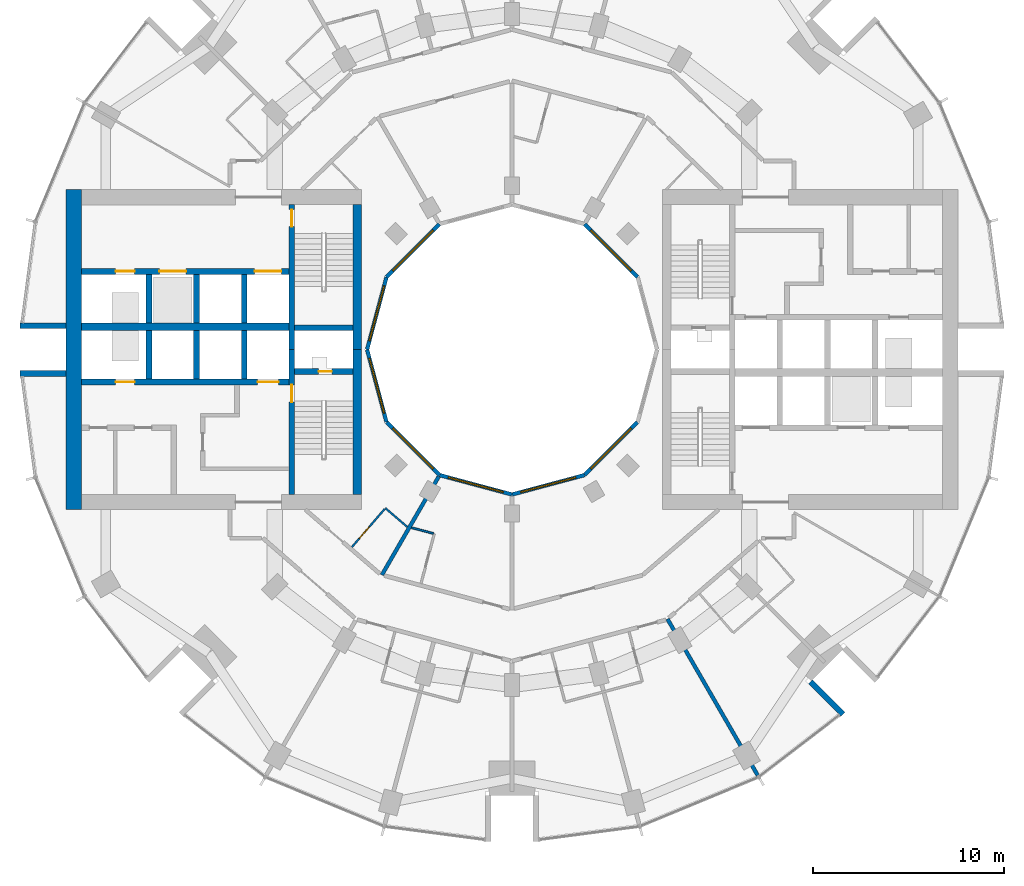
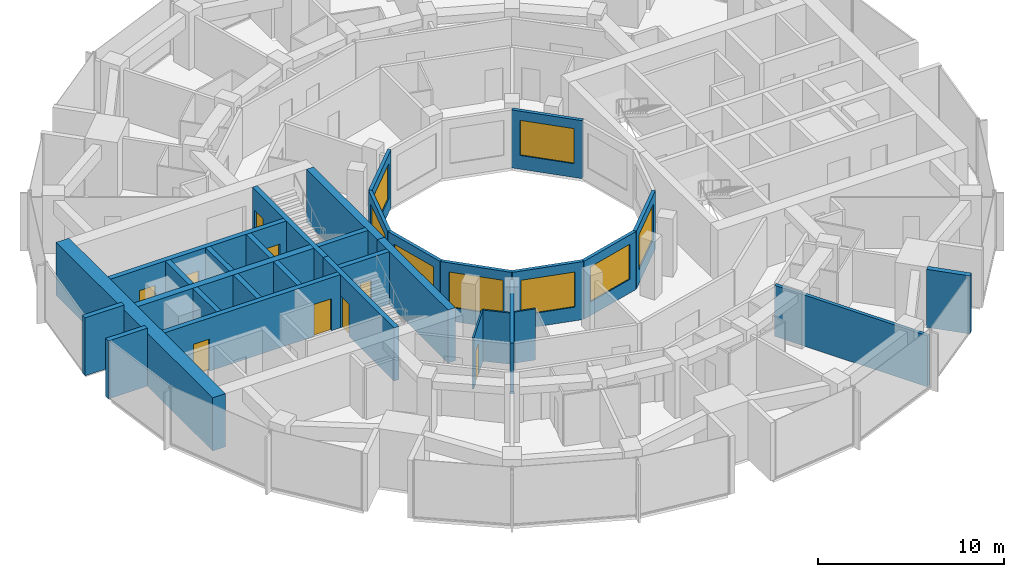
# One storey, part 9 of 15: 32 walls, 9 doors, 8 windows, 17 openings.
"""IFC4 building model written with IfcOpenShell, lengths in metres."""

import ifcopenshell
import ifcopenshell.guid

model = None  # the IFC model being written
_history = None  # IfcOwnerHistory: only IFC2X3 demands one
_inside = {}  # id of a spatial element -> (the spatial element, [elements in it])
_under = {}  # id of a project, library or spatial element -> (it, [spatial elements below it])
_declared = {}  # id of a project -> (the project, [libraries it declares])
_typed = {}  # id of a type object -> (the type object, [elements of that type])
_made_of = {}  # id of a material, layer set ... -> (it, [elements and type objects made of it])


def new_model(schema):
    """Start an empty IFC model of exactly this schema.

    Asked for "IFC4X3", IfcOpenShell would pick the latest addendum, in which some entities
    have other attributes; the version numbers below select the first issue.
    IFC2X3 requires an IfcOwnerHistory on every rooted entity: one is made here for all.
    """
    global model, _history
    if schema == "IFC4X3":
        model = ifcopenshell.file(schema_version=(4, 3, 0, 0))
    else:
        model = ifcopenshell.file(schema=schema)
    _inside.clear()
    _under.clear()
    _declared.clear()
    _typed.clear()
    _made_of.clear()
    _history = None
    if model.schema == "IFC2X3":
        org = make("IfcOrganization", Name="unknown")
        user = make(
            "IfcPersonAndOrganization",
            ThePerson=make("IfcPerson", FamilyName="unknown"),
            TheOrganization=org,
        )
        app = make(
            "IfcApplication",
            ApplicationDeveloper=org,
            Version="unknown",
            ApplicationFullName="unknown",
            ApplicationIdentifier="unknown",
        )
        _history = make(
            "IfcOwnerHistory",
            OwningUser=user,
            OwningApplication=app,
            ChangeAction="ADDED",
            CreationDate=0,
        )
    return model


def make(cls, **values):
    """One entity of the class cls with the attributes given. An attribute that is None is left unset."""
    return model.create_entity(
        cls, **{name: value for name, value in values.items() if value is not None}
    )


def rooted(cls, **values):
    """An entity with a GlobalId (a new one), such as an element, a storey or a relation."""
    return make(cls, GlobalId=ifcopenshell.guid.new(), OwnerHistory=_history, **values)


def si_unit(unit_type, name, prefix=None):
    """IfcSIUnit, for example si_unit("LENGTHUNIT", "METRE", prefix="MILLI")."""
    return make("IfcSIUnit", UnitType=unit_type, Prefix=prefix, Name=name)


def assignment(units):
    """IfcUnitAssignment: the units of a project."""
    return None if units is None else make("IfcUnitAssignment", Units=units)


def point(xyz):
    """IfcCartesianPoint."""
    return None if xyz is None else make("IfcCartesianPoint", Coordinates=xyz)


def direction(xyz):
    """IfcDirection."""
    return None if xyz is None else make("IfcDirection", DirectionRatios=xyz)


def frame(location, z_axis=None, x_axis=None):
    """IfcAxis2Placement3D, a coordinate frame: its origin and axes. An axis left out is left unset."""
    return make(
        "IfcAxis2Placement3D",
        Location=point(location),
        Axis=direction(z_axis),
        RefDirection=direction(x_axis),
    )


def frame_2d(location, x_axis=None):
    """IfcAxis2Placement2D, a coordinate frame in the plane: its origin and x axis."""
    return make(
        "IfcAxis2Placement2D", Location=point(location), RefDirection=direction(x_axis)
    )


def origin():
    """The frame at (0, 0, 0) with its axes left unset."""
    return frame((0.0, 0.0, 0.0))


def place(relative_to, where):
    """IfcLocalPlacement: puts the frame where relative to a parent placement (None: the world)."""
    return make(
        "IfcLocalPlacement", PlacementRelTo=relative_to, RelativePlacement=where
    )


def context(
    kind, dimensions, precision=None, world=None, true_north=None, identifier=None
):
    """IfcGeometricRepresentationContext, for example the 3D "Model" context."""
    return make(
        "IfcGeometricRepresentationContext",
        ContextIdentifier=identifier,
        ContextType=kind,
        CoordinateSpaceDimension=dimensions,
        Precision=precision,
        WorldCoordinateSystem=world,
        TrueNorth=true_north,
    )


def subcontext(parent, identifier, kind, view, scale=None):
    """IfcGeometricRepresentationSubContext, for example "Body" below "Model"."""
    return make(
        "IfcGeometricRepresentationSubContext",
        ContextIdentifier=identifier,
        ContextType=kind,
        ParentContext=parent,
        TargetScale=scale,
        TargetView=view,
    )


def project(units=None, contexts=None):
    """IfcProject with its units and contexts."""
    return rooted(
        "IfcProject",
        Name="project",
        RepresentationContexts=contexts,
        UnitsInContext=assignment(units),
    )


def spatial(cls, under=None, at=None, **own):
    """A site, building, storey or space (cls), placed at a placement, below another one or the project."""
    s = rooted(cls, ObjectPlacement=at, **own)
    if under is not None:
        _under.setdefault(under.id(), (under, []))[1].append(s)
    return s


def profile(cls, at=None, kind="AREA", **sizes):
    """A parametric profile (cls). Its sizes go by their IFC names, for example OverallWidth=200.0."""
    return make(cls, ProfileType=kind, Position=at, **sizes)


def rectangle(**sizes):
    """IfcRectangleProfileDef."""
    return profile("IfcRectangleProfileDef", **sizes)


def extrude(swept, where, along, depth):
    """IfcExtrudedAreaSolid: the profile swept, set in the frame where, extruded along a direction by depth."""
    return make(
        "IfcExtrudedAreaSolid",
        SweptArea=swept,
        Position=where,
        ExtrudedDirection=direction(along),
        Depth=depth,
    )


def shape(context_of_items, identifier, shape_type, items):
    """IfcShapeRepresentation: the items that make up one representation, for example the "Body"."""
    return make(
        "IfcShapeRepresentation",
        ContextOfItems=context_of_items,
        RepresentationIdentifier=identifier,
        RepresentationType=shape_type,
        Items=items,
    )


def material(Name=None, Category=None):
    """IfcMaterial."""
    return make("IfcMaterial", Name=Name, Category=Category)


def layer(
    of_material, thickness, ventilated=None, Name=None, Category=None, Priority=None
):
    """IfcMaterialLayer: one layer of a wall or slab, of a material (None: an air gap)."""
    return make(
        "IfcMaterialLayer",
        Material=of_material,
        LayerThickness=thickness,
        IsVentilated=ventilated,
        Name=Name,
        Category=Category,
        Priority=Priority,
    )


def layer_set(layers, Name=None):
    """IfcMaterialLayerSet."""
    return make("IfcMaterialLayerSet", MaterialLayers=layers, LayerSetName=Name)


def made_of(thing, what):
    """Note that an element or type object is made of a material, layer set ...; save() writes the relation."""
    if what is not None:
        _made_of.setdefault(what.id(), (what, []))[1].append(thing)
    return thing


def type_object(cls, material=None, **own):
    """A type object (cls), such as IfcWallType, which elements share."""
    return made_of(rooted(cls, **own), material)


def element(
    cls,
    number,
    at=None,
    inside=None,
    cuts=None,
    type_object=None,
    material=None,
    context=None,
    identifier="Body",
    shape_type=None,
    held_by="IfcProductDefinitionShape",
    body=None,
    shapes=None,
    **own,
):
    """One element of the class cls, such as IfcWall. Its Tag is "e" and its number.

    at: its placement. inside: the storey or other place that contains it. cuts: it is an
    opening in that element (IfcRelVoidsElement). A single representation is given by context,
    identifier, shape_type and body (its items); several are given by shapes. held_by: the class
    of the entity that holds the representations. save() writes the other relations.
    """
    e = rooted(cls, Tag="e%d" % number, ObjectPlacement=at, **own)
    if body is not None:
        shapes = [shape(context, identifier, shape_type, body)]
    if shapes is not None:
        e.Representation = make(held_by, Representations=shapes)
    if inside is not None:
        _inside.setdefault(inside.id(), (inside, []))[1].append(e)
    if cuts is not None:
        rooted(
            "IfcRelVoidsElement", RelatingBuildingElement=cuts, RelatedOpeningElement=e
        )
    if type_object is not None:
        _typed.setdefault(type_object.id(), (type_object, []))[1].append(e)
    return made_of(e, material)


def fill(opening, filler):
    """IfcRelFillsElement: the door or window that sits in an opening."""
    return rooted(
        "IfcRelFillsElement",
        RelatingOpeningElement=opening,
        RelatedBuildingElement=filler,
    )


def aggregate(whole, parts):
    """IfcRelAggregates: a whole, such as a stair, and the parts it consists of."""
    return rooted("IfcRelAggregates", RelatingObject=whole, RelatedObjects=parts)


def save(model, path):
    """Write the relations noted so far, then the file.

    IfcRelAggregates (storeys below a building ...), IfcRelContainedInSpatialStructure (elements
    in a storey), IfcRelDefinesByType, IfcRelAssociatesMaterial and IfcRelDeclares: one each for
    every whole, place, type object, material and project.
    """
    for whole, parts in _under.values():
        aggregate(whole, parts)
    for where, things in _inside.values():
        rooted(
            "IfcRelContainedInSpatialStructure",
            RelatedElements=things,
            RelatingStructure=where,
        )
    for kind, things in _typed.values():
        rooted("IfcRelDefinesByType", RelatedObjects=things, RelatingType=kind)
    for what, things in _made_of.values():
        rooted("IfcRelAssociatesMaterial", RelatedObjects=things, RelatingMaterial=what)
    for by, libraries in _declared.values():
        rooted("IfcRelDeclares", RelatingContext=by, RelatedDefinitions=libraries)
    model.write(path)


model = new_model("IFC4")

# Units and contexts
model_context = context("Model", 3, precision=1e-05, world=origin(), true_north=direction((0.0, 1.0)))
body_context = subcontext(model_context, "Body", "Model", "MODEL_VIEW")
ifc_project = project(units=[si_unit("LENGTHUNIT", "METRE"), si_unit("AREAUNIT", "SQUARE_METRE"), si_unit("VOLUMEUNIT", "CUBIC_METRE"), si_unit("PLANEANGLEUNIT", "RADIAN"), si_unit("MASSUNIT", "GRAM", prefix="KILO")], contexts=[model_context])

# Site, building, storey
site_placement = place(None, origin())
site = spatial("IfcSite", under=ifc_project, at=site_placement, CompositionType="ELEMENT")
building_placement = place(site_placement, origin())
building = spatial("IfcBuilding", under=site, at=building_placement, Name="Torre Brocal", CompositionType="ELEMENT")
storey_placement = place(building_placement, frame((0.0, 0.0, 66.800048828125)))
storey = spatial("IfcBuildingStorey", under=building, at=storey_placement, Name="L15", CompositionType="ELEMENT", Elevation=66.800048828125)

# Wall, opening, door
ifc_material_1 = material(Name="Concrete C80", Category="concrete")
ifc_layer_1 = layer(ifc_material_1, 0.300048828125)
ifc_layer_set_1 = layer_set([ifc_layer_1], Name="Concrete C80")
wall_type_1 = type_object("IfcWallType", Name="CORE WALL 300 C80", PredefinedType="SHEAR", material=ifc_layer_set_1)
wall_1_placement = place(storey_placement, frame((68.449951171875, 75.0, 0.0), z_axis=(0.0, 0.0, 1.0), x_axis=(0.0, -1.0, 0.0)))
wall_1 = element("IfcWall", 1, at=wall_1_placement, inside=storey, type_object=wall_type_1, Name="Wall CW300-80", PredefinedType="SHEAR", context=body_context, shape_type="SweptSolid", body=[
    extrude(rectangle(XDim=7.60009765625, YDim=0.300048828125, at=frame_2d((3.800048828125, 0.0))), origin(), (0.0, 0.0, 1.0), 3.47998046875),
])
opening_1_placement = place(wall_1_placement, frame((1.85009765625, 0.0, 0.0)))
opening_1 = element("IfcOpeningElement", 2, at=opening_1_placement, cuts=wall_1, Name="Opening W-D02", PredefinedType="OPENING", context=body_context, shape_type="SweptSolid", body=[
    extrude(rectangle(XDim=0.89990234375, YDim=2.10009765625, at=frame_2d((0.449951171875, 1.050048828125))), frame((0.0, 0.159912109375, 0.0), z_axis=(0.0, -1.0, 0.0), x_axis=(1.0, 0.0, 0.0)), (0.0, 0.0, 1.0), 0.320068359375),
])
ifc_material_2 = material(Name="Steel A653", Category="steel")
door_type_1 = type_object("IfcDoorType", Name="STAIR DOOR FD120 900X2100", OperationType="SINGLE_SWING_RIGHT", PredefinedType="DOOR", material=ifc_material_2)
door_1_placement = place(opening_1_placement, origin())
door_1 = element("IfcDoor", 3, at=door_1_placement, inside=storey, type_object=door_type_1, Name="Door W-D02", OperationType="SINGLE_SWING_LEFT", OverallHeight=2.10009765625, OverallWidth=0.89990234375, PredefinedType="DOOR", context=body_context, shape_type="SweptSolid", body=[
    extrude(rectangle(XDim=0.89990234375, YDim=2.10009765625, at=frame_2d((0.449951171875, 1.050048828125))), frame((0.0, 0.02490234375, 0.0), z_axis=(0.0, -1.0, 0.0), x_axis=(1.0, 0.0, 0.0)), (0.0, 0.0, 1.0), 0.050048828125),
])
fill(opening_1, door_1)

wall_2_placement = place(storey_placement, frame((68.449951171875, 82.60009765625, 0.0), z_axis=(0.0, 0.0, 1.0), x_axis=(0.0, -1.0, 0.0)))
wall_2 = element("IfcWall", 4, at=wall_2_placement, inside=storey, type_object=wall_type_1, Name="Wall CW300-80", PredefinedType="SHEAR", context=body_context, shape_type="SweptSolid", body=[
    extrude(rectangle(XDim=7.60009765625, YDim=0.300048828125, at=frame_2d((3.800048828125, 0.0))), origin(), (0.0, 0.0, 1.0), 3.47998046875),
])
opening_2_placement = place(wall_2_placement, frame((0.25, 0.0, 0.0)))
opening_2 = element("IfcOpeningElement", 5, at=opening_2_placement, cuts=wall_2, Name="Opening W-D03", PredefinedType="OPENING", context=body_context, shape_type="SweptSolid", body=[
    extrude(rectangle(XDim=0.89990234375, YDim=2.10009765625, at=frame_2d((0.449951171875, 1.050048828125))), frame((0.0, 0.159912109375, 0.0), z_axis=(0.0, -1.0, 0.0), x_axis=(1.0, 0.0, 0.0)), (0.0, 0.0, 1.0), 0.320068359375),
])
door_2_placement = place(opening_2_placement, origin())
door_2 = element("IfcDoor", 6, at=door_2_placement, inside=storey, type_object=door_type_1, Name="Door W-D03", OperationType="SINGLE_SWING_LEFT", OverallHeight=2.10009765625, OverallWidth=0.89990234375, PredefinedType="DOOR", context=body_context, shape_type="SweptSolid", body=[
    extrude(rectangle(XDim=0.89990234375, YDim=2.10009765625, at=frame_2d((0.449951171875, 1.050048828125))), frame((0.0, 0.02490234375, 0.0), z_axis=(0.0, -1.0, 0.0), x_axis=(1.0, 0.0, 0.0)), (0.0, 0.0, 1.0), 0.050048828125),
])
fill(opening_2, door_2)

wall_3_placement = place(storey_placement, frame((71.64990234375, 73.85009765625, 0.0), z_axis=(0.0, 0.0, 1.0), x_axis=(-1.0, 0.0, 0.0)))
wall_3 = element("IfcWall", 7, at=wall_3_placement, inside=storey, type_object=wall_type_1, Name="Wall CW300-80", PredefinedType="SHEAR", context=body_context, shape_type="SweptSolid", body=[
    extrude(rectangle(XDim=3.0498046875, YDim=0.300048828125, at=frame_2d((1.52490234375, 0.0))), origin(), (0.0, 0.0, 1.0), 3.47998046875),
])
opening_3_placement = place(wall_3_placement, frame((1.10009765625, 0.0, 0.0)))
opening_3 = element("IfcOpeningElement", 8, at=opening_3_placement, cuts=wall_3, Name="Opening W-D01", PredefinedType="OPENING", context=body_context, shape_type="SweptSolid", body=[
    extrude(rectangle(XDim=0.699951171875, YDim=2.0, at=frame_2d((0.35009765625, 1.0))), frame((0.0, 0.159912109375, 0.0), z_axis=(0.0, -1.0, 0.0), x_axis=(1.0, 0.0, 0.0)), (0.0, 0.0, 1.0), 0.320068359375),
])
ifc_material_3 = material(Name="Steel A653", Category="steel")
door_type_2 = type_object("IfcDoorType", Name="RISER DOOR FD120 700X2000", OperationType="SINGLE_SWING_LEFT", PredefinedType="DOOR", material=ifc_material_3)
door_3_placement = place(opening_3_placement, frame((0.699951171875, 0.0, 0.0), z_axis=(0.0, 0.0, 1.0), x_axis=(-1.0, 0.0, 0.0)))
door_3 = element("IfcDoor", 9, at=door_3_placement, inside=storey, type_object=door_type_2, Name="Door W-D01", OperationType="SINGLE_SWING_RIGHT", OverallHeight=2.0, OverallWidth=0.699951171875, PredefinedType="DOOR", context=body_context, shape_type="SweptSolid", body=[
    extrude(rectangle(XDim=0.699951171875, YDim=2.0, at=frame_2d((0.35009765625, 1.0))), frame((0.0, 0.02490234375, 0.0), z_axis=(0.0, -1.0, 0.0), x_axis=(1.0, 0.0, 0.0)), (0.0, 0.0, 1.0), 0.050048828125),
])
fill(opening_3, door_3)

# Wall
wall_4_placement = place(storey_placement, frame((71.64990234375, 76.14990234375, 0.0), z_axis=(0.0, 0.0, 1.0), x_axis=(-1.0, 0.0, 0.0)))
element("IfcWall", 10, at=wall_4_placement, inside=storey, type_object=wall_type_1, Name="Wall CW300-80", PredefinedType="SHEAR", context=body_context, shape_type="SweptSolid", body=[
    extrude(rectangle(XDim=3.0498046875, YDim=0.300048828125, at=frame_2d((1.52490234375, 0.0))), origin(), (0.0, 0.0, 1.0), 3.47998046875),
])

# Wall, openings, doors
wall_5_placement = place(storey_placement, frame((68.300048828125, 73.300048828125, 0.0), z_axis=(0.0, 0.0, 1.0), x_axis=(-1.0, 0.0, 0.0)))
wall_5 = element("IfcWall", 11, at=wall_5_placement, inside=storey, type_object=wall_type_1, Name="Wall CW300-80", PredefinedType="SHEAR", context=body_context, shape_type="SweptSolid", body=[
    extrude(rectangle(XDim=10.900146484375, YDim=0.300048828125, at=frame_2d((5.4501953125, 0.0))), origin(), (0.0, 0.0, 1.0), 3.47998046875),
])
opening_4_placement = place(wall_5_placement, frame((0.550048828125, 0.0, 0.0)))
opening_4 = element("IfcOpeningElement", 12, at=opening_4_placement, cuts=wall_5, Name="Opening LD", PredefinedType="OPENING", context=body_context, shape_type="SweptSolid", body=[
    extrude(rectangle(XDim=1.10009765625, YDim=2.10009765625, at=frame_2d((0.550048828125, 1.050048828125))), frame((0.0, 0.159912109375, 0.0), z_axis=(0.0, -1.0, 0.0), x_axis=(1.0, 0.0, 0.0)), (0.0, 0.0, 1.0), 0.320068359375),
])
opening_5_placement = place(wall_5_placement, frame((8.10009765625, 0.0, 0.0)))
opening_5 = element("IfcOpeningElement", 13, at=opening_5_placement, cuts=wall_5, Name="Opening LD10", PredefinedType="OPENING", context=body_context, shape_type="SweptSolid", body=[
    extrude(rectangle(XDim=1.0, YDim=2.10009765625, at=frame_2d((0.5, 1.050048828125))), frame((0.0, 0.159912109375, 0.0), z_axis=(0.0, -1.0, 0.0), x_axis=(1.0, 0.0, 0.0)), (0.0, 0.0, 1.0), 0.320068359375),
])
ifc_material_4 = material(Name="Stainless steel AISI 316", Category="steel")
door_type_3 = type_object("IfcDoorType", Name="LIFT LANDING DOOR 1000X2100", OperationType="DOUBLE_DOOR_SLIDING", PredefinedType="DOOR", material=ifc_material_4)
door_4_placement = place(opening_5_placement, origin())
door_4 = element("IfcDoor", 14, at=door_4_placement, inside=storey, type_object=door_type_3, Name="Door LD10", OperationType="DOUBLE_DOOR_SLIDING", OverallHeight=2.10009765625, OverallWidth=1.0, PredefinedType="DOOR", context=body_context, shape_type="SweptSolid", body=[
    extrude(rectangle(XDim=1.0, YDim=2.10009765625, at=frame_2d((0.5, 1.050048828125))), frame((0.0, 0.02490234375, 0.0), z_axis=(0.0, -1.0, 0.0), x_axis=(1.0, 0.0, 0.0)), (0.0, 0.0, 1.0), 0.050048828125),
])
fill(opening_5, door_4)
ifc_material_5 = material(Name="Stainless steel AISI 316", Category="steel")
door_type_4 = type_object("IfcDoorType", Name="LIFT LANDING DOOR 1100X2100", OperationType="DOUBLE_DOOR_SLIDING", PredefinedType="DOOR", material=ifc_material_5)
door_5_placement = place(opening_4_placement, origin())
door_5 = element("IfcDoor", 15, at=door_5_placement, inside=storey, type_object=door_type_4, Name="Door LD", OperationType="DOUBLE_DOOR_SLIDING", OverallHeight=2.10009765625, OverallWidth=1.10009765625, PredefinedType="DOOR", context=body_context, shape_type="SweptSolid", body=[
    extrude(rectangle(XDim=1.10009765625, YDim=2.10009765625, at=frame_2d((0.550048828125, 1.050048828125))), frame((0.0, 0.02490234375, 0.0), z_axis=(0.0, -1.0, 0.0), x_axis=(1.0, 0.0, 0.0)), (0.0, 0.0, 1.0), 0.050048828125),
])
fill(opening_4, door_5)

wall_6_placement = place(storey_placement, frame((68.300048828125, 79.10009765625, 0.0), z_axis=(0.0, 0.0, 1.0), x_axis=(-1.0, 0.0, 0.0)))
wall_6 = element("IfcWall", 16, at=wall_6_placement, inside=storey, type_object=wall_type_1, Name="Wall CW300-80", PredefinedType="SHEAR", context=body_context, shape_type="SweptSolid", body=[
    extrude(rectangle(XDim=10.900146484375, YDim=0.300048828125, at=frame_2d((5.4501953125, 0.0))), origin(), (0.0, 0.0, 1.0), 3.47998046875),
])
opening_6_placement = place(wall_6_placement, frame((0.39990234375, 0.0, 0.0)))
opening_6 = element("IfcOpeningElement", 17, at=opening_6_placement, cuts=wall_6, Name="Opening LD14", PredefinedType="OPENING", context=body_context, shape_type="SweptSolid", body=[
    extrude(rectangle(XDim=1.39990234375, YDim=2.10009765625, at=frame_2d((0.699951171875, 1.050048828125))), frame((0.0, 0.159912109375, 0.0), z_axis=(0.0, -1.0, 0.0), x_axis=(1.0, 0.0, 0.0)), (0.0, 0.0, 1.0), 0.320068359375),
])
opening_7_placement = place(wall_6_placement, frame((5.39990234375, 0.0, 0.0)))
opening_7 = element("IfcOpeningElement", 18, at=opening_7_placement, cuts=wall_6, Name="Opening LD14", PredefinedType="OPENING", context=body_context, shape_type="SweptSolid", body=[
    extrude(rectangle(XDim=1.39990234375, YDim=2.10009765625, at=frame_2d((0.699951171875, 1.050048828125))), frame((0.0, 0.159912109375, 0.0), z_axis=(0.0, -1.0, 0.0), x_axis=(1.0, 0.0, 0.0)), (0.0, 0.0, 1.0), 0.320068359375),
])
opening_8_placement = place(wall_6_placement, frame((8.10009765625, 0.0, 0.0)))
opening_8 = element("IfcOpeningElement", 19, at=opening_8_placement, cuts=wall_6, Name="Opening LD10", PredefinedType="OPENING", context=body_context, shape_type="SweptSolid", body=[
    extrude(rectangle(XDim=1.0, YDim=2.10009765625, at=frame_2d((0.5, 1.050048828125))), frame((0.0, 0.159912109375, 0.0), z_axis=(0.0, -1.0, 0.0), x_axis=(1.0, 0.0, 0.0)), (0.0, 0.0, 1.0), 0.320068359375),
])
door_6_placement = place(opening_8_placement, origin())
door_6 = element("IfcDoor", 20, at=door_6_placement, inside=storey, type_object=door_type_3, Name="Door LD10", OperationType="DOUBLE_DOOR_SLIDING", OverallHeight=2.10009765625, OverallWidth=1.0, PredefinedType="DOOR", context=body_context, shape_type="SweptSolid", body=[
    extrude(rectangle(XDim=1.0, YDim=2.10009765625, at=frame_2d((0.5, 1.050048828125))), frame((0.0, 0.02490234375, 0.0), z_axis=(0.0, -1.0, 0.0), x_axis=(1.0, 0.0, 0.0)), (0.0, 0.0, 1.0), 0.050048828125),
])
fill(opening_8, door_6)
ifc_material_6 = material(Name="Stainless steel AISI 316", Category="steel")
door_type_5 = type_object("IfcDoorType", Name="LIFT LANDING DOOR 1400X2100", OperationType="DOUBLE_DOOR_SLIDING", PredefinedType="DOOR", material=ifc_material_6)
door_7_placement = place(opening_6_placement, origin())
door_7 = element("IfcDoor", 21, at=door_7_placement, inside=storey, type_object=door_type_5, Name="Door LD14", OperationType="DOUBLE_DOOR_SLIDING", OverallHeight=2.10009765625, OverallWidth=1.39990234375, PredefinedType="DOOR", context=body_context, shape_type="SweptSolid", body=[
    extrude(rectangle(XDim=1.39990234375, YDim=2.10009765625, at=frame_2d((0.699951171875, 1.050048828125))), frame((0.0, 0.02490234375, 0.0), z_axis=(0.0, -1.0, 0.0), x_axis=(1.0, 0.0, 0.0)), (0.0, 0.0, 1.0), 0.050048828125),
])
fill(opening_6, door_7)
door_8_placement = place(opening_7_placement, origin())
door_8 = element("IfcDoor", 22, at=door_8_placement, inside=storey, type_object=door_type_5, Name="Door LD14", OperationType="DOUBLE_DOOR_SLIDING", OverallHeight=2.10009765625, OverallWidth=1.39990234375, PredefinedType="DOOR", context=body_context, shape_type="SweptSolid", body=[
    extrude(rectangle(XDim=1.39990234375, YDim=2.10009765625, at=frame_2d((0.699951171875, 1.050048828125))), frame((0.0, 0.02490234375, 0.0), z_axis=(0.0, -1.0, 0.0), x_axis=(1.0, 0.0, 0.0)), (0.0, 0.0, 1.0), 0.050048828125),
])
fill(opening_7, door_8)

# Walls
for number, where, z_axis, x_axis, name in (
    (23, (65.949951171875, 76.0, 0.0), (0.0, 0.0, 1.0), (0.0, -1.0, 0.0), "Wall CW300-80"),
    (24, (63.449951171875, 76.0, 0.0), (0.0, 0.0, 1.0), (0.0, -1.0, 0.0), "Wall CW300-80"),
    (25, (60.949951171875, 76.0, 0.0), (0.0, 0.0, 1.0), (0.0, -1.0, 0.0), "Wall CW300-80"),
    (26, (65.949951171875, 78.949951171875, 0.0), (0.0, 0.0, 1.0), (0.0, -1.0, 0.0), "Wall CW300-80"),
    (27, (63.449951171875, 78.949951171875, 0.0), (0.0, 0.0, 1.0), (0.0, -1.0, 0.0), "Wall CW300-80"),
    (28, (60.949951171875, 78.949951171875, 0.0), (0.0, 0.0, 1.0), (0.0, -1.0, 0.0), "Wall CW300-80"),
):
    element("IfcWall", number, at=place(storey_placement, frame(where, z_axis=z_axis, x_axis=x_axis)), inside=storey, type_object=wall_type_1, Name=name, PredefinedType="SHEAR", context=body_context, shape_type="SweptSolid", body=[
        extrude(rectangle(XDim=2.550048828125, YDim=0.300048828125, at=frame_2d((1.27490234375, 0.0))), origin(), (0.0, 0.0, 1.0), 3.47998046875),
    ])
ifc_material_7 = material(Name="Concrete C80", Category="concrete")
ifc_layer_2 = layer(ifc_material_7, 0.39990234375)
ifc_layer_set_2 = layer_set([ifc_layer_2], Name="Concrete C80")
wall_type_2 = type_object("IfcWallType", Name="CORE WALL 400 C80", PredefinedType="SHEAR", material=ifc_layer_set_2)
wall_7_placement = place(storey_placement, frame((68.300048828125, 76.199951171875, 0.0), z_axis=(0.0, 0.0, 1.0), x_axis=(-1.0, 0.0, 0.0)))
element("IfcWall", 29, at=wall_7_placement, inside=storey, type_object=wall_type_2, Name="Wall CW400-80", PredefinedType="SHEAR", context=body_context, shape_type="SweptSolid", body=[
    extrude(rectangle(XDim=10.900146484375, YDim=0.39990234375, at=frame_2d((5.4501953125, 0.0))), origin(), (0.0, 0.0, 1.0), 3.47998046875),
])
ifc_material_8 = material(Name="Concrete C80", Category="concrete")
ifc_layer_3 = layer(ifc_material_8, 0.449951171875)
ifc_layer_set_3 = layer_set([ifc_layer_3], Name="Concrete C80")
wall_type_3 = type_object("IfcWallType", Name="CORE WALL 450 C80", PredefinedType="SHEAR", material=ifc_layer_set_3)
for number, where, z_axis, x_axis, name in (
    (30, (71.875, 75.0, 0.0), (0.0, 0.0, 1.0), (0.0, -1.0, 0.0), "Wall CW450-80"),
    (31, (71.875, 82.60009765625, 0.0), (0.0, 0.0, 1.0), (0.0, -1.0, 0.0), "Wall CW450-80"),
):
    element("IfcWall", number, at=place(storey_placement, frame(where, z_axis=z_axis, x_axis=x_axis)), inside=storey, type_object=wall_type_3, Name=name, PredefinedType="SHEAR", context=body_context, shape_type="SweptSolid", body=[
        extrude(rectangle(XDim=7.60009765625, YDim=0.449951171875, at=frame_2d((3.800048828125, 0.0))), origin(), (0.0, 0.0, 1.0), 3.47998046875),
    ])
ifc_material_9 = material(Name="Concrete C80", Category="concrete")
ifc_layer_4 = layer(ifc_material_9, 0.800048828125)
ifc_layer_set_4 = layer_set([ifc_layer_4], Name="Concrete C80")
wall_type_4 = type_object("IfcWallType", Name="CORE WALL 800 C80", PredefinedType="SHEAR", material=ifc_layer_set_4)
wall_8_placement = place(storey_placement, frame((57.0, 83.39990234375, 0.0), z_axis=(0.0, 0.0, 1.0), x_axis=(0.0, -1.0, 0.0)))
element("IfcWall", 32, at=wall_8_placement, inside=storey, type_object=wall_type_4, Name="Wall CW800-80", PredefinedType="SHEAR", context=body_context, shape_type="SweptSolid", body=[
    extrude(rectangle(XDim=16.7998046875, YDim=0.800048828125, at=frame_2d((8.39990234375, 0.0))), origin(), (0.0, 0.0, 1.0), 3.47998046875),
])
ifc_material_10 = material(Name="Concrete C80", Category="concrete")
ifc_layer_5 = layer(ifc_material_10, 0.300048828125)
ifc_layer_set_5 = layer_set([ifc_layer_5], Name="Concrete C80")
wall_type_5 = type_object("IfcWallType", Name="NOTCH RETURN WALL 300 C80", PredefinedType="NOTDEFINED", material=ifc_layer_set_5)
for number, where, z_axis, x_axis, name in (
    (33, (56.60009765625, 76.25, 0.0), (0.0, 0.0, 1.0), (-1.0, 0.0, 0.0), "NOTCH RETURN WALL"),
    (34, (56.60009765625, 73.75, 0.0), (0.0, 0.0, 1.0), (-1.0, 0.0, 0.0), "NOTCH RETURN WALL"),
    (35, (95.662353515625, 57.56982421875, 0.0), (0.0, 0.0, 1.0), (0.707106781187, -0.707106781187, 0.0), "NOTCH RETURN WALL"),
):
    element("IfcWall", number, at=place(storey_placement, frame(where, z_axis=z_axis, x_axis=x_axis)), inside=storey, type_object=wall_type_5, Name=name, PredefinedType="NOTDEFINED", context=body_context, shape_type="SweptSolid", body=[
        extrude(rectangle(XDim=2.415771484375, YDim=0.300048828125, at=frame_2d((1.2080078125, 0.0))), origin(), (0.0, 0.0, 1.0), 3.800048828125),
    ])

# Wall, opening, door
ifc_material_11 = material(Name="Gypsum board", Category="Gypsum")
ifc_layer_6 = layer(ifc_material_11, 0.10009765625)
ifc_layer_set_6 = layer_set([ifc_layer_6], Name="Gypsum board")
wall_type_6 = type_object("IfcWallType", Name="PARTITION 100", PredefinedType="PARTITIONING", material=ifc_layer_set_6)
wall_9_placement = place(storey_placement, frame((71.59619140625, 64.634765625, 0.0), z_axis=(0.0, 0.0, 1.0), x_axis=(0.652285007511, 0.757973791748, 0.0)))
wall_9 = element("IfcWall", 36, at=wall_9_placement, inside=storey, type_object=wall_type_6, Name="BATHROOM WALL", PredefinedType="PARTITIONING", context=body_context, shape_type="SweptSolid", body=[
    extrude(rectangle(XDim=2.649658203125, YDim=0.10009765625, at=frame_2d((1.32470703125, 0.0))), origin(), (0.0, 0.0, 1.0), 3.349853515625),
])
opening_9_placement = place(wall_9_placement, frame((0.599609375, 0.0, 0.0)))
opening_9 = element("IfcOpeningElement", 37, at=opening_9_placement, cuts=wall_9, Name="Opening H04-D38", PredefinedType="OPENING", context=body_context, shape_type="SweptSolid", body=[
    extrude(rectangle(XDim=0.800048828125, YDim=2.10009765625, at=frame_2d((0.39990234375, 1.050048828125))), frame((0.0, 0.06005859375, 0.0), z_axis=(0.0, -1.0, 0.0), x_axis=(1.0, 0.0, 0.0)), (0.0, 0.0, 1.0), 0.1201171875),
])
ifc_material_12 = material(Name="Timber", Category="wood")
door_type_6 = type_object("IfcDoorType", Name="BATHROOM DOOR 800X2100", OperationType="SINGLE_SWING_LEFT", PredefinedType="DOOR", material=ifc_material_12)
door_9_placement = place(opening_9_placement, frame((0.800048828125, 0.0, 0.0), z_axis=(0.0, 0.0, 1.0), x_axis=(-1.0, 0.0, 0.0)))
door_9 = element("IfcDoor", 38, at=door_9_placement, inside=storey, type_object=door_type_6, Name="H04-D38", OperationType="SINGLE_SWING_RIGHT", OverallHeight=2.10009765625, OverallWidth=0.800048828125, PredefinedType="DOOR", context=body_context, shape_type="SweptSolid", body=[
    extrude(rectangle(XDim=0.800048828125, YDim=2.10009765625, at=frame_2d((0.39990234375, 1.050048828125))), frame((0.0, 0.02490234375, 0.0), z_axis=(0.0, -1.0, 0.0), x_axis=(1.0, 0.0, 0.0)), (0.0, 0.0, 1.0), 0.050048828125),
])
fill(opening_9, door_9)

# Walls
wall_10_placement = place(storey_placement, frame((73.35693359375, 66.680908203125, 0.0), z_axis=(0.0, 0.0, 1.0), x_axis=(0.758263469747, -0.651948242154, 0.0)))
element("IfcWall", 39, at=wall_10_placement, inside=storey, type_object=wall_type_6, Name="BATHROOM WALL", PredefinedType="PARTITIONING", context=body_context, shape_type="SweptSolid", body=[
    extrude(rectangle(XDim=1.510986328125, YDim=0.10009765625, at=frame_2d((0.75537109375, 0.0))), origin(), (0.0, 0.0, 1.0), 3.349853515625),
])
wall_11_placement = place(storey_placement, frame((74.739013671875, 65.655029296875, 0.0), z_axis=(0.0, 0.0, 1.0), x_axis=(0.96591107063, -0.258874107695, 0.0)))
element("IfcWall", 40, at=wall_11_placement, inside=storey, type_object=wall_type_6, Name="BATHROOM WALL", PredefinedType="PARTITIONING", context=body_context, shape_type="SweptSolid", body=[
    extrude(rectangle(XDim=1.178955078125, YDim=0.10009765625, at=frame_2d((0.58935546875, 0.0))), origin(), (0.0, 0.0, 1.0), 3.349853515625),
])
ifc_material_13 = material(Name="Gypsum board", Category="Gypsum")
ifc_layer_7 = layer(ifc_material_13, 0.199951171875)
ifc_layer_set_7 = layer_set([ifc_layer_7], Name="Gypsum board")
wall_type_7 = type_object("IfcWallType", Name="PARTITION 200 EI60", PredefinedType="PARTITIONING", material=ifc_layer_set_7)
wall_12_placement = place(storey_placement, frame((73.173583984375, 63.17578125, 0.0), z_axis=(0.0, 0.0, 1.0), x_axis=(0.500257106344, 0.865876912472, 0.0)))
element("IfcWall", 41, at=wall_12_placement, inside=storey, type_object=wall_type_7, Name="BATHROOM WALL", PredefinedType="PARTITIONING", context=body_context, shape_type="SweptSolid", body=[
    extrude(rectangle(XDim=5.954833984375, YDim=0.199951171875, at=frame_2d((2.9775390625, 0.0))), origin(), (0.0, 0.0, 1.0), 3.349853515625),
])
wall_13_placement = place(storey_placement, frame((88.1591796875, 60.86279296875, 0.0), z_axis=(0.0, 0.0, 1.0), x_axis=(0.499935840196, -0.866062443296, 0.0)))
element("IfcWall", 42, at=wall_13_placement, inside=storey, type_object=wall_type_7, Name="PARTY PARTITION", PredefinedType="PARTITIONING", context=body_context, shape_type="SweptSolid", body=[
    extrude(rectangle(XDim=9.474853515625, YDim=0.199951171875, at=frame_2d((4.7373046875, 0.0))), origin(), (0.0, 0.0, 1.0), 3.349853515625),
])

# Wall, opening, window
ifc_material_14 = material(Name="Concrete C40", Category="concrete")
ifc_layer_8 = layer(ifc_material_14, 0.199951171875)
ifc_layer_set_8 = layer_set([ifc_layer_8], Name="Concrete C40")
wall_type_8 = type_object("IfcWallType", Name="WELL FACADE WALL 200", PredefinedType="NOTDEFINED", material=ifc_layer_set_8)
wall_14_placement = place(storey_placement, frame((86.5849609375, 78.8017578125, 0.0), z_axis=(0.0, 0.0, 1.0), x_axis=(-0.707106781187, 0.707106781187, 0.0)))
wall_14 = element("IfcWall", 43, at=wall_14_placement, inside=storey, type_object=wall_type_8, Name="WELL FACADE WALL", PredefinedType="NOTDEFINED", context=body_context, shape_type="SweptSolid", body=[
    extrude(rectangle(XDim=3.93603515625, YDim=0.199951171875, at=frame_2d((1.968017578125, 0.0))), origin(), (0.0, 0.0, 1.0), 3.800048828125),
])
opening_10_placement = place(wall_14_placement, frame((0.468017578125, 0.0, 0.89990234375)))
opening_10 = element("IfcOpeningElement", 44, at=opening_10_placement, cuts=wall_14, Name="Opening W1", PredefinedType="OPENING", context=body_context, shape_type="SweptSolid", body=[
    extrude(rectangle(XDim=3.0, YDim=2.300048828125, at=frame_2d((1.5, 1.14990234375))), frame((0.0, 0.10986328125, 0.0), z_axis=(0.0, -1.0, 0.0), x_axis=(1.0, 0.0, 0.0)), (0.0, 0.0, 1.0), 0.219970703125),
])
ifc_material_15 = material(Name="Aluminium and glass", Category="aluminium")
window_type = type_object("IfcWindowType", Name="WELL WINDOW 3000X2300", PartitioningType="SINGLE_PANEL", PredefinedType="WINDOW", material=ifc_material_15)
window_1_placement = place(opening_10_placement, origin())
window_1 = element("IfcWindow", 45, at=window_1_placement, inside=storey, type_object=window_type, Name="WELL WINDOW 3000X2300", OverallHeight=2.300048828125, OverallWidth=3.0, PartitioningType="SINGLE_PANEL", PredefinedType="WINDOW", context=body_context, shape_type="SweptSolid", body=[
    extrude(rectangle(XDim=3.0, YDim=2.300048828125, at=frame_2d((1.5, 1.14990234375))), frame((0.0, 0.030029296875, 0.0), z_axis=(0.0, -1.0, 0.0), x_axis=(1.0, 0.0, 0.0)), (0.0, 0.0, 1.0), 0.06005859375),
])
fill(opening_10, window_1)

wall_15_placement = place(storey_placement, frame((76.1982421875, 81.5849609375, 0.0), z_axis=(0.0, 0.0, 1.0), x_axis=(-0.707106781187, -0.707106781187, 0.0)))
wall_15 = element("IfcWall", 46, at=wall_15_placement, inside=storey, type_object=wall_type_8, Name="WELL FACADE WALL", PredefinedType="NOTDEFINED", context=body_context, shape_type="SweptSolid", body=[
    extrude(rectangle(XDim=3.93603515625, YDim=0.199951171875, at=frame_2d((1.968017578125, 0.0))), origin(), (0.0, 0.0, 1.0), 3.800048828125),
])
opening_11_placement = place(wall_15_placement, frame((0.468017578125, 0.0, 0.89990234375)))
opening_11 = element("IfcOpeningElement", 47, at=opening_11_placement, cuts=wall_15, Name="Opening W1", PredefinedType="OPENING", context=body_context, shape_type="SweptSolid", body=[
    extrude(rectangle(XDim=3.0, YDim=2.300048828125, at=frame_2d((1.5, 1.14990234375))), frame((0.0, 0.10986328125, 0.0), z_axis=(0.0, -1.0, 0.0), x_axis=(1.0, 0.0, 0.0)), (0.0, 0.0, 1.0), 0.219970703125),
])
window_2_placement = place(opening_11_placement, origin())
window_2 = element("IfcWindow", 48, at=window_2_placement, inside=storey, type_object=window_type, Name="WELL WINDOW 3000X2300", OverallHeight=2.300048828125, OverallWidth=3.0, PartitioningType="SINGLE_PANEL", PredefinedType="WINDOW", context=body_context, shape_type="SweptSolid", body=[
    extrude(rectangle(XDim=3.0, YDim=2.300048828125, at=frame_2d((1.5, 1.14990234375))), frame((0.0, 0.030029296875, 0.0), z_axis=(0.0, -1.0, 0.0), x_axis=(1.0, 0.0, 0.0)), (0.0, 0.0, 1.0), 0.06005859375),
])
fill(opening_11, window_2)

wall_16_placement = place(storey_placement, frame((73.4150390625, 78.8017578125, 0.0), z_axis=(0.0, 0.0, 1.0), x_axis=(-0.258789828301, -0.965933654434, 0.0)))
wall_16 = element("IfcWall", 49, at=wall_16_placement, inside=storey, type_object=wall_type_8, Name="WELL FACADE WALL", PredefinedType="NOTDEFINED", context=body_context, shape_type="SweptSolid", body=[
    extrude(rectangle(XDim=3.935791015625, YDim=0.199951171875, at=frame_2d((1.9677734375, 0.0))), origin(), (0.0, 0.0, 1.0), 3.800048828125),
])
opening_12_placement = place(wall_16_placement, frame((0.468017578125, 0.0, 0.89990234375)))
opening_12 = element("IfcOpeningElement", 50, at=opening_12_placement, cuts=wall_16, Name="Opening W1", PredefinedType="OPENING", context=body_context, shape_type="SweptSolid", body=[
    extrude(rectangle(XDim=3.0, YDim=2.300048828125, at=frame_2d((1.5, 1.14990234375))), frame((0.0, 0.10986328125, 0.0), z_axis=(0.0, -1.0, 0.0), x_axis=(1.0, 0.0, 0.0)), (0.0, 0.0, 1.0), 0.219970703125),
])
window_3_placement = place(opening_12_placement, origin())
window_3 = element("IfcWindow", 51, at=window_3_placement, inside=storey, type_object=window_type, Name="WELL WINDOW 3000X2300", OverallHeight=2.300048828125, OverallWidth=3.0, PartitioningType="SINGLE_PANEL", PredefinedType="WINDOW", context=body_context, shape_type="SweptSolid", body=[
    extrude(rectangle(XDim=3.0, YDim=2.300048828125, at=frame_2d((1.5, 1.14990234375))), frame((0.0, 0.030029296875, 0.0), z_axis=(0.0, -1.0, 0.0), x_axis=(1.0, 0.0, 0.0)), (0.0, 0.0, 1.0), 0.06005859375),
])
fill(opening_12, window_3)

wall_17_placement = place(storey_placement, frame((72.396484375, 75.0, 0.0), z_axis=(0.0, 0.0, 1.0), x_axis=(0.258789828301, -0.965933654434, 0.0)))
wall_17 = element("IfcWall", 52, at=wall_17_placement, inside=storey, type_object=wall_type_8, Name="WELL FACADE WALL", PredefinedType="NOTDEFINED", context=body_context, shape_type="SweptSolid", body=[
    extrude(rectangle(XDim=3.935791015625, YDim=0.199951171875, at=frame_2d((1.9677734375, 0.0))), origin(), (0.0, 0.0, 1.0), 3.800048828125),
])
opening_13_placement = place(wall_17_placement, frame((0.468017578125, 0.0, 0.89990234375)))
opening_13 = element("IfcOpeningElement", 53, at=opening_13_placement, cuts=wall_17, Name="Opening W1", PredefinedType="OPENING", context=body_context, shape_type="SweptSolid", body=[
    extrude(rectangle(XDim=3.0, YDim=2.300048828125, at=frame_2d((1.5, 1.14990234375))), frame((0.0, 0.10986328125, 0.0), z_axis=(0.0, -1.0, 0.0), x_axis=(1.0, 0.0, 0.0)), (0.0, 0.0, 1.0), 0.219970703125),
])
window_4_placement = place(opening_13_placement, origin())
window_4 = element("IfcWindow", 54, at=window_4_placement, inside=storey, type_object=window_type, Name="WELL WINDOW 3000X2300", OverallHeight=2.300048828125, OverallWidth=3.0, PartitioningType="SINGLE_PANEL", PredefinedType="WINDOW", context=body_context, shape_type="SweptSolid", body=[
    extrude(rectangle(XDim=3.0, YDim=2.300048828125, at=frame_2d((1.5, 1.14990234375))), frame((0.0, 0.030029296875, 0.0), z_axis=(0.0, -1.0, 0.0), x_axis=(1.0, 0.0, 0.0)), (0.0, 0.0, 1.0), 0.06005859375),
])
fill(opening_13, window_4)

wall_18_placement = place(storey_placement, frame((73.4150390625, 71.1982421875, 0.0), z_axis=(0.0, 0.0, 1.0), x_axis=(0.707106781187, -0.707106781187, 0.0)))
wall_18 = element("IfcWall", 55, at=wall_18_placement, inside=storey, type_object=wall_type_8, Name="WELL FACADE WALL", PredefinedType="NOTDEFINED", context=body_context, shape_type="SweptSolid", body=[
    extrude(rectangle(XDim=3.93603515625, YDim=0.199951171875, at=frame_2d((1.968017578125, 0.0))), origin(), (0.0, 0.0, 1.0), 3.800048828125),
])
opening_14_placement = place(wall_18_placement, frame((0.468017578125, 0.0, 0.89990234375)))
opening_14 = element("IfcOpeningElement", 56, at=opening_14_placement, cuts=wall_18, Name="Opening W1", PredefinedType="OPENING", context=body_context, shape_type="SweptSolid", body=[
    extrude(rectangle(XDim=3.0, YDim=2.300048828125, at=frame_2d((1.5, 1.14990234375))), frame((0.0, 0.10986328125, 0.0), z_axis=(0.0, -1.0, 0.0), x_axis=(1.0, 0.0, 0.0)), (0.0, 0.0, 1.0), 0.219970703125),
])
window_5_placement = place(opening_14_placement, origin())
window_5 = element("IfcWindow", 57, at=window_5_placement, inside=storey, type_object=window_type, Name="WELL WINDOW 3000X2300", OverallHeight=2.300048828125, OverallWidth=3.0, PartitioningType="SINGLE_PANEL", PredefinedType="WINDOW", context=body_context, shape_type="SweptSolid", body=[
    extrude(rectangle(XDim=3.0, YDim=2.300048828125, at=frame_2d((1.5, 1.14990234375))), frame((0.0, 0.030029296875, 0.0), z_axis=(0.0, -1.0, 0.0), x_axis=(1.0, 0.0, 0.0)), (0.0, 0.0, 1.0), 0.06005859375),
])
fill(opening_14, window_5)

wall_19_placement = place(storey_placement, frame((76.1982421875, 68.4150390625, 0.0), z_axis=(0.0, 0.0, 1.0), x_axis=(0.965933654434, -0.258789828301, 0.0)))
wall_19 = element("IfcWall", 58, at=wall_19_placement, inside=storey, type_object=wall_type_8, Name="WELL FACADE WALL", PredefinedType="NOTDEFINED", context=body_context, shape_type="SweptSolid", body=[
    extrude(rectangle(XDim=3.935791015625, YDim=0.199951171875, at=frame_2d((1.9677734375, 0.0))), origin(), (0.0, 0.0, 1.0), 3.800048828125),
])
opening_15_placement = place(wall_19_placement, frame((0.468017578125, 0.0, 0.89990234375)))
opening_15 = element("IfcOpeningElement", 59, at=opening_15_placement, cuts=wall_19, Name="Opening W1", PredefinedType="OPENING", context=body_context, shape_type="SweptSolid", body=[
    extrude(rectangle(XDim=3.0, YDim=2.300048828125, at=frame_2d((1.5, 1.14990234375))), frame((0.0, 0.10986328125, 0.0), z_axis=(0.0, -1.0, 0.0), x_axis=(1.0, 0.0, 0.0)), (0.0, 0.0, 1.0), 0.219970703125),
])
window_6_placement = place(opening_15_placement, origin())
window_6 = element("IfcWindow", 60, at=window_6_placement, inside=storey, type_object=window_type, Name="WELL WINDOW 3000X2300", OverallHeight=2.300048828125, OverallWidth=3.0, PartitioningType="SINGLE_PANEL", PredefinedType="WINDOW", context=body_context, shape_type="SweptSolid", body=[
    extrude(rectangle(XDim=3.0, YDim=2.300048828125, at=frame_2d((1.5, 1.14990234375))), frame((0.0, 0.030029296875, 0.0), z_axis=(0.0, -1.0, 0.0), x_axis=(1.0, 0.0, 0.0)), (0.0, 0.0, 1.0), 0.06005859375),
])
fill(opening_15, window_6)

wall_20_placement = place(storey_placement, frame((80.0, 67.396484375, 0.0), z_axis=(0.0, 0.0, 1.0), x_axis=(0.965933654434, 0.258789828301, 0.0)))
wall_20 = element("IfcWall", 61, at=wall_20_placement, inside=storey, type_object=wall_type_8, Name="WELL FACADE WALL", PredefinedType="NOTDEFINED", context=body_context, shape_type="SweptSolid", body=[
    extrude(rectangle(XDim=3.935791015625, YDim=0.199951171875, at=frame_2d((1.9677734375, 0.0))), origin(), (0.0, 0.0, 1.0), 3.800048828125),
])
opening_16_placement = place(wall_20_placement, frame((0.468017578125, 0.0, 0.89990234375)))
opening_16 = element("IfcOpeningElement", 62, at=opening_16_placement, cuts=wall_20, Name="Opening W1", PredefinedType="OPENING", context=body_context, shape_type="SweptSolid", body=[
    extrude(rectangle(XDim=3.0, YDim=2.300048828125, at=frame_2d((1.5, 1.14990234375))), frame((0.0, 0.10986328125, 0.0), z_axis=(0.0, -1.0, 0.0), x_axis=(1.0, 0.0, 0.0)), (0.0, 0.0, 1.0), 0.219970703125),
])
window_7_placement = place(opening_16_placement, origin())
window_7 = element("IfcWindow", 63, at=window_7_placement, inside=storey, type_object=window_type, Name="WELL WINDOW 3000X2300", OverallHeight=2.300048828125, OverallWidth=3.0, PartitioningType="SINGLE_PANEL", PredefinedType="WINDOW", context=body_context, shape_type="SweptSolid", body=[
    extrude(rectangle(XDim=3.0, YDim=2.300048828125, at=frame_2d((1.5, 1.14990234375))), frame((0.0, 0.030029296875, 0.0), z_axis=(0.0, -1.0, 0.0), x_axis=(1.0, 0.0, 0.0)), (0.0, 0.0, 1.0), 0.06005859375),
])
fill(opening_16, window_7)

wall_21_placement = place(storey_placement, frame((83.8017578125, 68.4150390625, 0.0), z_axis=(0.0, 0.0, 1.0), x_axis=(0.707106781187, 0.707106781187, 0.0)))
wall_21 = element("IfcWall", 64, at=wall_21_placement, inside=storey, type_object=wall_type_8, Name="WELL FACADE WALL", PredefinedType="NOTDEFINED", context=body_context, shape_type="SweptSolid", body=[
    extrude(rectangle(XDim=3.93603515625, YDim=0.199951171875, at=frame_2d((1.968017578125, 0.0))), origin(), (0.0, 0.0, 1.0), 3.800048828125),
])
opening_17_placement = place(wall_21_placement, frame((0.468017578125, 0.0, 0.89990234375)))
opening_17 = element("IfcOpeningElement", 65, at=opening_17_placement, cuts=wall_21, Name="Opening W1", PredefinedType="OPENING", context=body_context, shape_type="SweptSolid", body=[
    extrude(rectangle(XDim=3.0, YDim=2.300048828125, at=frame_2d((1.5, 1.14990234375))), frame((0.0, 0.10986328125, 0.0), z_axis=(0.0, -1.0, 0.0), x_axis=(1.0, 0.0, 0.0)), (0.0, 0.0, 1.0), 0.219970703125),
])
window_8_placement = place(opening_17_placement, origin())
window_8 = element("IfcWindow", 66, at=window_8_placement, inside=storey, type_object=window_type, Name="WELL WINDOW 3000X2300", OverallHeight=2.300048828125, OverallWidth=3.0, PartitioningType="SINGLE_PANEL", PredefinedType="WINDOW", context=body_context, shape_type="SweptSolid", body=[
    extrude(rectangle(XDim=3.0, YDim=2.300048828125, at=frame_2d((1.5, 1.14990234375))), frame((0.0, 0.030029296875, 0.0), z_axis=(0.0, -1.0, 0.0), x_axis=(1.0, 0.0, 0.0)), (0.0, 0.0, 1.0), 0.06005859375),
])
fill(opening_17, window_8)

save(model, "model.ifc")
